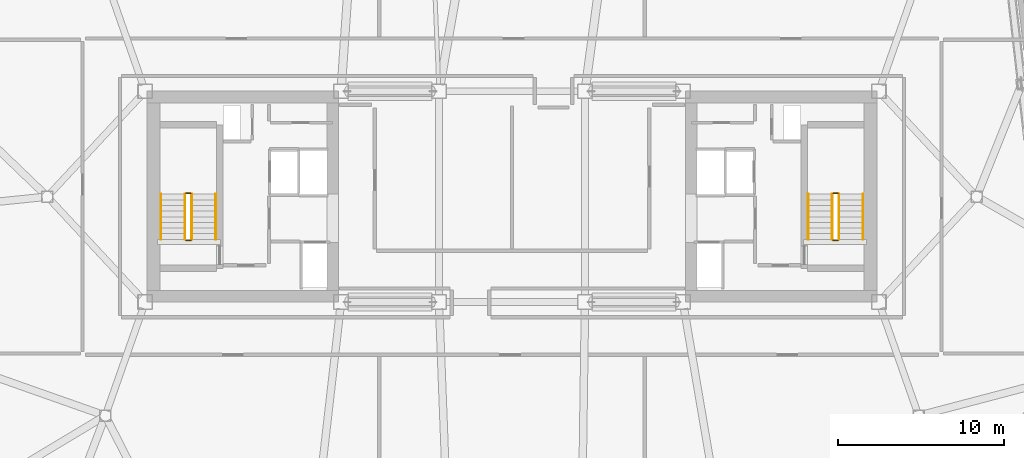
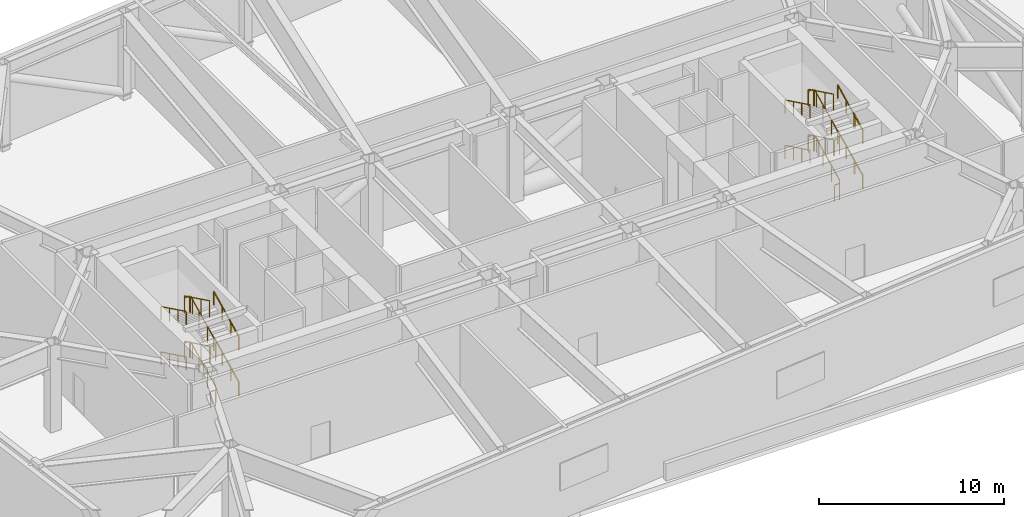
# One storey, part 13 of 13: 24 railings.
"""IFC4 building model written with IfcOpenShell, lengths in metres."""

from ifc_helpers import new_model, si_unit, direction, frame, origin, origin_2d, place, context, subcontext, project, spatial, rectangle, extrude, material, layer, layer_set, type_object, element, save


model = new_model("IFC4")

# Units and contexts
model_context = context("Model", 3, precision=1e-05, world=origin(), true_north=direction((0.0, 1.0)))
body_context = subcontext(model_context, "Body", "Model", "MODEL_VIEW")
ifc_project = project(units=[si_unit("LENGTHUNIT", "METRE"), si_unit("AREAUNIT", "SQUARE_METRE"), si_unit("VOLUMEUNIT", "CUBIC_METRE"), si_unit("PLANEANGLEUNIT", "RADIAN"), si_unit("MASSUNIT", "GRAM", prefix="KILO")], contexts=[model_context])

# Site, building, storey
site_placement = place(None, origin())
site = spatial("IfcSite", under=ifc_project, at=site_placement, CompositionType="ELEMENT")
building_placement = place(site_placement, origin())
building = spatial("IfcBuilding", under=site, at=building_placement, Name="Tavrogorsk Clinical Tower", CompositionType="ELEMENT")
storey_placement = place(building_placement, frame((0.0, 0.0, 208.199951171875)))
storey = spatial("IfcBuildingStorey", under=building, at=storey_placement, Name="L48", CompositionType="ELEMENT", Elevation=208.199951171875)

# Railings
ifc_material_1 = material(Name="Galvanised steel S355 safety stairwell guard", Category="steel")
ifc_layer_1 = layer(ifc_material_1, 0.06005859375)
ifc_layer_set_1 = layer_set([ifc_layer_1], Name="Galvanised steel S355 safety stairwell guard")
railing_type_1 = type_object("IfcRailingType", Name="StairGuard_1150", PredefinedType="GUARDRAIL", material=ifc_layer_set_1)
railing_1_placement = place(storey_placement, frame((-19.300048828125, -2.574951171875, 0.166748046875)))
element("IfcRailing", 1, at=railing_1_placement, inside=storey, type_object=railing_type_1, Name="L48 ST-W stair guard 1", PredefinedType="GUARDRAIL", context=body_context, shape_type="SweptSolid", body=[
    extrude(rectangle(XDim=0.048095703125, YDim=0.048095703125, at=origin_2d()), frame((0.0, 0.0, 1.076171875), z_axis=(0.0, 0.897929466783, 0.4401393787), x_axis=(-1.0, 0.0, 0.0)), (0.0, 0.0, 1.0), 3.029052734375),
    extrude(rectangle(XDim=0.0419921875, YDim=0.0419921875, at=origin_2d()), origin(), (0.0, 0.0, 1.0), 1.052001953125),
    extrude(rectangle(XDim=0.0419921875, YDim=0.0419921875, at=origin_2d()), frame((0.0, 0.90673828125, 0.4443359375)), (0.0, 0.0, 1.0), 1.052001953125),
    extrude(rectangle(XDim=0.0419921875, YDim=0.0419921875, at=origin_2d()), frame((0.0, 1.813232421875, 0.888916015625)), (0.0, 0.0, 1.0), 1.052001953125),
    extrude(rectangle(XDim=0.0419921875, YDim=0.0419921875, at=origin_2d()), frame((0.0, 2.719970703125, 1.333251953125)), (0.0, 0.0, 1.0), 1.052001953125),
])
railing_2_placement = place(storey_placement, frame((-19.35009765625, 0.195068359375, 1.5)))
element("IfcRailing", 2, at=railing_2_placement, inside=storey, type_object=railing_type_1, Name="L48 ST-W stair guard 2", PredefinedType="GUARDRAIL", context=body_context, shape_type="SweptSolid", body=[
    extrude(rectangle(XDim=0.048095703125, YDim=0.048095703125, at=origin_2d()), frame((0.0, 0.0, 1.076171875), z_axis=(-1.0, 0.0, 0.0), x_axis=(0.0, -1.0, 0.0)), (0.0, 0.0, 1.0), 0.2998046875),
    extrude(rectangle(XDim=0.0419921875, YDim=0.0419921875, at=origin_2d()), origin(), (0.0, 0.0, 1.0), 1.052001953125),
    extrude(rectangle(XDim=0.0419921875, YDim=0.0419921875, at=origin_2d()), frame((-0.2998046875, 0.0, 0.0)), (0.0, 0.0, 1.0), 1.052001953125),
])
railing_3_placement = place(storey_placement, frame((-19.699951171875, 0.14501953125, 1.666748046875)))
element("IfcRailing", 3, at=railing_3_placement, inside=storey, type_object=railing_type_1, Name="L48 ST-W stair guard 3", PredefinedType="GUARDRAIL", context=body_context, shape_type="SweptSolid", body=[
    extrude(rectangle(XDim=0.048095703125, YDim=0.048095703125, at=origin_2d()), frame((0.0, 0.0, 1.076171875), z_axis=(0.0, -0.897929466783, 0.4401393787), x_axis=(1.0, 0.0, 0.0)), (0.0, 0.0, 1.0), 3.029052734375),
    extrude(rectangle(XDim=0.0419921875, YDim=0.0419921875, at=origin_2d()), origin(), (0.0, 0.0, 1.0), 1.052001953125),
    extrude(rectangle(XDim=0.0419921875, YDim=0.0419921875, at=origin_2d()), frame((0.0, -0.90673828125, 0.4443359375)), (0.0, 0.0, 1.0), 1.052001953125),
    extrude(rectangle(XDim=0.0419921875, YDim=0.0419921875, at=origin_2d()), frame((0.0, -1.813232421875, 0.888916015625)), (0.0, 0.0, 1.0), 1.052001953125),
    extrude(rectangle(XDim=0.0419921875, YDim=0.0419921875, at=origin_2d()), frame((0.0, -2.719970703125, 1.333251953125)), (0.0, 0.0, 1.0), 1.052001953125),
])
railing_4_placement = place(storey_placement, frame((-19.35009765625, -2.625, 3.0)))
element("IfcRailing", 4, at=railing_4_placement, inside=storey, type_object=railing_type_1, Name="L48 ST-W stair guard 4", PredefinedType="GUARDRAIL", context=body_context, shape_type="SweptSolid", body=[
    extrude(rectangle(XDim=0.048095703125, YDim=0.048095703125, at=origin_2d()), frame((0.0, 0.0, 1.076171875), z_axis=(-1.0, 0.0, 0.0), x_axis=(0.0, -1.0, 0.0)), (0.0, 0.0, 1.0), 0.2998046875),
    extrude(rectangle(XDim=0.0419921875, YDim=0.0419921875, at=origin_2d()), origin(), (0.0, 0.0, 1.0), 1.052001953125),
    extrude(rectangle(XDim=0.0419921875, YDim=0.0419921875, at=origin_2d()), frame((-0.2998046875, 0.0, 0.0)), (0.0, 0.0, 1.0), 1.052001953125),
])
railing_5_placement = place(storey_placement, frame((-19.300048828125, -2.574951171875, 3.166748046875)))
element("IfcRailing", 5, at=railing_5_placement, inside=storey, type_object=railing_type_1, Name="L48 ST-W stair guard 5", PredefinedType="GUARDRAIL", context=body_context, shape_type="SweptSolid", body=[
    extrude(rectangle(XDim=0.048095703125, YDim=0.048095703125, at=origin_2d()), frame((0.0, 0.0, 1.076171875), z_axis=(0.0, 0.897929466783, 0.4401393787), x_axis=(-1.0, 0.0, 0.0)), (0.0, 0.0, 1.0), 3.029052734375),
    extrude(rectangle(XDim=0.0419921875, YDim=0.0419921875, at=origin_2d()), origin(), (0.0, 0.0, 1.0), 1.052001953125),
    extrude(rectangle(XDim=0.0419921875, YDim=0.0419921875, at=origin_2d()), frame((0.0, 0.90673828125, 0.4443359375)), (0.0, 0.0, 1.0), 1.052001953125),
    extrude(rectangle(XDim=0.0419921875, YDim=0.0419921875, at=origin_2d()), frame((0.0, 1.813232421875, 0.888916015625)), (0.0, 0.0, 1.0), 1.052001953125),
    extrude(rectangle(XDim=0.0419921875, YDim=0.0419921875, at=origin_2d()), frame((0.0, 2.719970703125, 1.333251953125)), (0.0, 0.0, 1.0), 1.052001953125),
])
railing_6_placement = place(storey_placement, frame((-19.35009765625, 0.195068359375, 4.5)))
element("IfcRailing", 6, at=railing_6_placement, inside=storey, type_object=railing_type_1, Name="L48 ST-W stair guard 6", PredefinedType="GUARDRAIL", context=body_context, shape_type="SweptSolid", body=[
    extrude(rectangle(XDim=0.048095703125, YDim=0.048095703125, at=origin_2d()), frame((0.0, 0.0, 1.076171875), z_axis=(-1.0, 0.0, 0.0), x_axis=(0.0, -1.0, 0.0)), (0.0, 0.0, 1.0), 0.2998046875),
    extrude(rectangle(XDim=0.0419921875, YDim=0.0419921875, at=origin_2d()), origin(), (0.0, 0.0, 1.0), 1.052001953125),
    extrude(rectangle(XDim=0.0419921875, YDim=0.0419921875, at=origin_2d()), frame((-0.2998046875, 0.0, 0.0)), (0.0, 0.0, 1.0), 1.052001953125),
])
railing_7_placement = place(storey_placement, frame((-19.699951171875, 0.14501953125, 4.666748046875)))
element("IfcRailing", 7, at=railing_7_placement, inside=storey, type_object=railing_type_1, Name="L48 ST-W stair guard 7", PredefinedType="GUARDRAIL", context=body_context, shape_type="SweptSolid", body=[
    extrude(rectangle(XDim=0.048095703125, YDim=0.048095703125, at=origin_2d()), frame((0.0, 0.0, 1.076171875), z_axis=(0.0, -0.897929466783, 0.4401393787), x_axis=(1.0, 0.0, 0.0)), (0.0, 0.0, 1.0), 3.029052734375),
    extrude(rectangle(XDim=0.0419921875, YDim=0.0419921875, at=origin_2d()), origin(), (0.0, 0.0, 1.0), 1.052001953125),
    extrude(rectangle(XDim=0.0419921875, YDim=0.0419921875, at=origin_2d()), frame((0.0, -0.90673828125, 0.4443359375)), (0.0, 0.0, 1.0), 1.052001953125),
    extrude(rectangle(XDim=0.0419921875, YDim=0.0419921875, at=origin_2d()), frame((0.0, -1.813232421875, 0.888916015625)), (0.0, 0.0, 1.0), 1.052001953125),
    extrude(rectangle(XDim=0.0419921875, YDim=0.0419921875, at=origin_2d()), frame((0.0, -2.719970703125, 1.333251953125)), (0.0, 0.0, 1.0), 1.052001953125),
])
railing_8_placement = place(storey_placement, frame((-19.35009765625, -2.625, 0.0)))
element("IfcRailing", 8, at=railing_8_placement, inside=storey, type_object=railing_type_1, Name="L48 ST-W stair guard 8", PredefinedType="GUARDRAIL", context=body_context, shape_type="SweptSolid", body=[
    extrude(rectangle(XDim=0.048095703125, YDim=0.048095703125, at=origin_2d()), frame((0.0, 0.0, 1.076171875), z_axis=(-1.0, 0.0, 0.0), x_axis=(0.0, -1.0, 0.0)), (0.0, 0.0, 1.0), 0.2998046875),
    extrude(rectangle(XDim=0.0419921875, YDim=0.0419921875, at=origin_2d()), origin(), (0.0, 0.0, 1.0), 1.052001953125),
    extrude(rectangle(XDim=0.0419921875, YDim=0.0419921875, at=origin_2d()), frame((-0.2998046875, 0.0, 0.0)), (0.0, 0.0, 1.0), 1.052001953125),
])
railing_9_placement = place(storey_placement, frame((19.699951171875, -2.574951171875, 0.166748046875)))
element("IfcRailing", 9, at=railing_9_placement, inside=storey, type_object=railing_type_1, Name="L48 ST-E stair guard 1", PredefinedType="GUARDRAIL", context=body_context, shape_type="SweptSolid", body=[
    extrude(rectangle(XDim=0.048095703125, YDim=0.048095703125, at=origin_2d()), frame((0.0, 0.0, 1.076171875), z_axis=(0.0, 0.897929466783, 0.4401393787), x_axis=(-1.0, 0.0, 0.0)), (0.0, 0.0, 1.0), 3.029052734375),
    extrude(rectangle(XDim=0.0419921875, YDim=0.0419921875, at=origin_2d()), origin(), (0.0, 0.0, 1.0), 1.052001953125),
    extrude(rectangle(XDim=0.0419921875, YDim=0.0419921875, at=origin_2d()), frame((0.0, 0.90673828125, 0.4443359375)), (0.0, 0.0, 1.0), 1.052001953125),
    extrude(rectangle(XDim=0.0419921875, YDim=0.0419921875, at=origin_2d()), frame((0.0, 1.813232421875, 0.888916015625)), (0.0, 0.0, 1.0), 1.052001953125),
    extrude(rectangle(XDim=0.0419921875, YDim=0.0419921875, at=origin_2d()), frame((0.0, 2.719970703125, 1.333251953125)), (0.0, 0.0, 1.0), 1.052001953125),
])
railing_10_placement = place(storey_placement, frame((19.64990234375, 0.195068359375, 1.5)))
element("IfcRailing", 10, at=railing_10_placement, inside=storey, type_object=railing_type_1, Name="L48 ST-E stair guard 2", PredefinedType="GUARDRAIL", context=body_context, shape_type="SweptSolid", body=[
    extrude(rectangle(XDim=0.048095703125, YDim=0.048095703125, at=origin_2d()), frame((0.0, 0.0, 1.076171875), z_axis=(-1.0, 0.0, 0.0), x_axis=(0.0, -1.0, 0.0)), (0.0, 0.0, 1.0), 0.2998046875),
    extrude(rectangle(XDim=0.0419921875, YDim=0.0419921875, at=origin_2d()), origin(), (0.0, 0.0, 1.0), 1.052001953125),
    extrude(rectangle(XDim=0.0419921875, YDim=0.0419921875, at=origin_2d()), frame((-0.2998046875, 0.0, 0.0)), (0.0, 0.0, 1.0), 1.052001953125),
])
railing_11_placement = place(storey_placement, frame((19.300048828125, 0.14501953125, 1.666748046875)))
element("IfcRailing", 11, at=railing_11_placement, inside=storey, type_object=railing_type_1, Name="L48 ST-E stair guard 3", PredefinedType="GUARDRAIL", context=body_context, shape_type="SweptSolid", body=[
    extrude(rectangle(XDim=0.048095703125, YDim=0.048095703125, at=origin_2d()), frame((0.0, 0.0, 1.076171875), z_axis=(0.0, -0.897929466783, 0.4401393787), x_axis=(1.0, 0.0, 0.0)), (0.0, 0.0, 1.0), 3.029052734375),
    extrude(rectangle(XDim=0.0419921875, YDim=0.0419921875, at=origin_2d()), origin(), (0.0, 0.0, 1.0), 1.052001953125),
    extrude(rectangle(XDim=0.0419921875, YDim=0.0419921875, at=origin_2d()), frame((0.0, -0.90673828125, 0.4443359375)), (0.0, 0.0, 1.0), 1.052001953125),
    extrude(rectangle(XDim=0.0419921875, YDim=0.0419921875, at=origin_2d()), frame((0.0, -1.813232421875, 0.888916015625)), (0.0, 0.0, 1.0), 1.052001953125),
    extrude(rectangle(XDim=0.0419921875, YDim=0.0419921875, at=origin_2d()), frame((0.0, -2.719970703125, 1.333251953125)), (0.0, 0.0, 1.0), 1.052001953125),
])
railing_12_placement = place(storey_placement, frame((19.64990234375, -2.625, 3.0)))
element("IfcRailing", 12, at=railing_12_placement, inside=storey, type_object=railing_type_1, Name="L48 ST-E stair guard 4", PredefinedType="GUARDRAIL", context=body_context, shape_type="SweptSolid", body=[
    extrude(rectangle(XDim=0.048095703125, YDim=0.048095703125, at=origin_2d()), frame((0.0, 0.0, 1.076171875), z_axis=(-1.0, 0.0, 0.0), x_axis=(0.0, -1.0, 0.0)), (0.0, 0.0, 1.0), 0.2998046875),
    extrude(rectangle(XDim=0.0419921875, YDim=0.0419921875, at=origin_2d()), origin(), (0.0, 0.0, 1.0), 1.052001953125),
    extrude(rectangle(XDim=0.0419921875, YDim=0.0419921875, at=origin_2d()), frame((-0.2998046875, 0.0, 0.0)), (0.0, 0.0, 1.0), 1.052001953125),
])
railing_13_placement = place(storey_placement, frame((19.699951171875, -2.574951171875, 3.166748046875)))
element("IfcRailing", 13, at=railing_13_placement, inside=storey, type_object=railing_type_1, Name="L48 ST-E stair guard 5", PredefinedType="GUARDRAIL", context=body_context, shape_type="SweptSolid", body=[
    extrude(rectangle(XDim=0.048095703125, YDim=0.048095703125, at=origin_2d()), frame((0.0, 0.0, 1.076171875), z_axis=(0.0, 0.897929466783, 0.4401393787), x_axis=(-1.0, 0.0, 0.0)), (0.0, 0.0, 1.0), 3.029052734375),
    extrude(rectangle(XDim=0.0419921875, YDim=0.0419921875, at=origin_2d()), origin(), (0.0, 0.0, 1.0), 1.052001953125),
    extrude(rectangle(XDim=0.0419921875, YDim=0.0419921875, at=origin_2d()), frame((0.0, 0.90673828125, 0.4443359375)), (0.0, 0.0, 1.0), 1.052001953125),
    extrude(rectangle(XDim=0.0419921875, YDim=0.0419921875, at=origin_2d()), frame((0.0, 1.813232421875, 0.888916015625)), (0.0, 0.0, 1.0), 1.052001953125),
    extrude(rectangle(XDim=0.0419921875, YDim=0.0419921875, at=origin_2d()), frame((0.0, 2.719970703125, 1.333251953125)), (0.0, 0.0, 1.0), 1.052001953125),
])
railing_14_placement = place(storey_placement, frame((19.64990234375, 0.195068359375, 4.5)))
element("IfcRailing", 14, at=railing_14_placement, inside=storey, type_object=railing_type_1, Name="L48 ST-E stair guard 6", PredefinedType="GUARDRAIL", context=body_context, shape_type="SweptSolid", body=[
    extrude(rectangle(XDim=0.048095703125, YDim=0.048095703125, at=origin_2d()), frame((0.0, 0.0, 1.076171875), z_axis=(-1.0, 0.0, 0.0), x_axis=(0.0, -1.0, 0.0)), (0.0, 0.0, 1.0), 0.2998046875),
    extrude(rectangle(XDim=0.0419921875, YDim=0.0419921875, at=origin_2d()), origin(), (0.0, 0.0, 1.0), 1.052001953125),
    extrude(rectangle(XDim=0.0419921875, YDim=0.0419921875, at=origin_2d()), frame((-0.2998046875, 0.0, 0.0)), (0.0, 0.0, 1.0), 1.052001953125),
])
railing_15_placement = place(storey_placement, frame((19.300048828125, 0.14501953125, 4.666748046875)))
element("IfcRailing", 15, at=railing_15_placement, inside=storey, type_object=railing_type_1, Name="L48 ST-E stair guard 7", PredefinedType="GUARDRAIL", context=body_context, shape_type="SweptSolid", body=[
    extrude(rectangle(XDim=0.048095703125, YDim=0.048095703125, at=origin_2d()), frame((0.0, 0.0, 1.076171875), z_axis=(0.0, -0.897929466783, 0.4401393787), x_axis=(1.0, 0.0, 0.0)), (0.0, 0.0, 1.0), 3.029052734375),
    extrude(rectangle(XDim=0.0419921875, YDim=0.0419921875, at=origin_2d()), origin(), (0.0, 0.0, 1.0), 1.052001953125),
    extrude(rectangle(XDim=0.0419921875, YDim=0.0419921875, at=origin_2d()), frame((0.0, -0.90673828125, 0.4443359375)), (0.0, 0.0, 1.0), 1.052001953125),
    extrude(rectangle(XDim=0.0419921875, YDim=0.0419921875, at=origin_2d()), frame((0.0, -1.813232421875, 0.888916015625)), (0.0, 0.0, 1.0), 1.052001953125),
    extrude(rectangle(XDim=0.0419921875, YDim=0.0419921875, at=origin_2d()), frame((0.0, -2.719970703125, 1.333251953125)), (0.0, 0.0, 1.0), 1.052001953125),
])
railing_16_placement = place(storey_placement, frame((19.64990234375, -2.625, 0.0)))
element("IfcRailing", 16, at=railing_16_placement, inside=storey, type_object=railing_type_1, Name="L48 ST-E stair guard 8", PredefinedType="GUARDRAIL", context=body_context, shape_type="SweptSolid", body=[
    extrude(rectangle(XDim=0.048095703125, YDim=0.048095703125, at=origin_2d()), frame((0.0, 0.0, 1.076171875), z_axis=(-1.0, 0.0, 0.0), x_axis=(0.0, -1.0, 0.0)), (0.0, 0.0, 1.0), 0.2998046875),
    extrude(rectangle(XDim=0.0419921875, YDim=0.0419921875, at=origin_2d()), origin(), (0.0, 0.0, 1.0), 1.052001953125),
    extrude(rectangle(XDim=0.0419921875, YDim=0.0419921875, at=origin_2d()), frame((-0.2998046875, 0.0, 0.0)), (0.0, 0.0, 1.0), 1.052001953125),
])
ifc_material_2 = material(Name="Stainless steel AISI 304 tubular handrail", Category="steel")
ifc_layer_2 = layer(ifc_material_2, 0.050048828125)
ifc_layer_set_2 = layer_set([ifc_layer_2], Name="Stainless steel AISI 304 tubular handrail")
railing_type_2 = type_object("IfcRailingType", Name="StairHandrail_920", PredefinedType="HANDRAIL", material=ifc_layer_set_2)
railing_17_placement = place(storey_placement, frame((-17.85009765625, -2.574951171875, 0.166748046875)))
element("IfcRailing", 17, at=railing_17_placement, inside=storey, type_object=railing_type_2, Name="L48 ST-W stair handrail 1", PredefinedType="HANDRAIL", context=body_context, shape_type="SweptSolid", body=[
    extrude(rectangle(XDim=0.048095703125, YDim=0.048095703125, at=origin_2d()), frame((0.0, 0.0, 0.8759765625), z_axis=(0.0, 0.897929466783, 0.4401393787), x_axis=(-1.0, 0.0, 0.0)), (0.0, 0.0, 1.0), 3.029052734375),
    extrude(rectangle(XDim=0.0419921875, YDim=0.0419921875, at=origin_2d()), origin(), (0.0, 0.0, 1.0), 0.851806640625),
    extrude(rectangle(XDim=0.0419921875, YDim=0.0419921875, at=origin_2d()), frame((0.0, 0.90673828125, 0.4443359375)), (0.0, 0.0, 1.0), 0.851806640625),
    extrude(rectangle(XDim=0.0419921875, YDim=0.0419921875, at=origin_2d()), frame((0.0, 1.813232421875, 0.888916015625)), (0.0, 0.0, 1.0), 0.851806640625),
    extrude(rectangle(XDim=0.0419921875, YDim=0.0419921875, at=origin_2d()), frame((0.0, 2.719970703125, 1.333251953125)), (0.0, 0.0, 1.0), 0.851806640625),
])
railing_18_placement = place(storey_placement, frame((-21.14990234375, 0.14501953125, 1.666748046875)))
element("IfcRailing", 18, at=railing_18_placement, inside=storey, type_object=railing_type_2, Name="L48 ST-W stair handrail 2", PredefinedType="HANDRAIL", context=body_context, shape_type="SweptSolid", body=[
    extrude(rectangle(XDim=0.048095703125, YDim=0.048095703125, at=origin_2d()), frame((0.0, 0.0, 0.8759765625), z_axis=(0.0, -0.897929466783, 0.4401393787), x_axis=(1.0, 0.0, 0.0)), (0.0, 0.0, 1.0), 3.029052734375),
    extrude(rectangle(XDim=0.0419921875, YDim=0.0419921875, at=origin_2d()), origin(), (0.0, 0.0, 1.0), 0.851806640625),
    extrude(rectangle(XDim=0.0419921875, YDim=0.0419921875, at=origin_2d()), frame((0.0, -0.90673828125, 0.4443359375)), (0.0, 0.0, 1.0), 0.851806640625),
    extrude(rectangle(XDim=0.0419921875, YDim=0.0419921875, at=origin_2d()), frame((0.0, -1.813232421875, 0.888916015625)), (0.0, 0.0, 1.0), 0.851806640625),
    extrude(rectangle(XDim=0.0419921875, YDim=0.0419921875, at=origin_2d()), frame((0.0, -2.719970703125, 1.333251953125)), (0.0, 0.0, 1.0), 0.851806640625),
])
railing_19_placement = place(storey_placement, frame((-17.85009765625, -2.574951171875, 3.166748046875)))
element("IfcRailing", 19, at=railing_19_placement, inside=storey, type_object=railing_type_2, Name="L48 ST-W stair handrail 3", PredefinedType="HANDRAIL", context=body_context, shape_type="SweptSolid", body=[
    extrude(rectangle(XDim=0.048095703125, YDim=0.048095703125, at=origin_2d()), frame((0.0, 0.0, 0.8759765625), z_axis=(0.0, 0.897929466783, 0.4401393787), x_axis=(-1.0, 0.0, 0.0)), (0.0, 0.0, 1.0), 3.029052734375),
    extrude(rectangle(XDim=0.0419921875, YDim=0.0419921875, at=origin_2d()), origin(), (0.0, 0.0, 1.0), 0.851806640625),
    extrude(rectangle(XDim=0.0419921875, YDim=0.0419921875, at=origin_2d()), frame((0.0, 0.90673828125, 0.4443359375)), (0.0, 0.0, 1.0), 0.851806640625),
    extrude(rectangle(XDim=0.0419921875, YDim=0.0419921875, at=origin_2d()), frame((0.0, 1.813232421875, 0.888916015625)), (0.0, 0.0, 1.0), 0.851806640625),
    extrude(rectangle(XDim=0.0419921875, YDim=0.0419921875, at=origin_2d()), frame((0.0, 2.719970703125, 1.333251953125)), (0.0, 0.0, 1.0), 0.851806640625),
])
railing_20_placement = place(storey_placement, frame((-21.14990234375, 0.14501953125, 4.666748046875)))
element("IfcRailing", 20, at=railing_20_placement, inside=storey, type_object=railing_type_2, Name="L48 ST-W stair handrail 4", PredefinedType="HANDRAIL", context=body_context, shape_type="SweptSolid", body=[
    extrude(rectangle(XDim=0.048095703125, YDim=0.048095703125, at=origin_2d()), frame((0.0, 0.0, 0.8759765625), z_axis=(0.0, -0.897929466783, 0.4401393787), x_axis=(1.0, 0.0, 0.0)), (0.0, 0.0, 1.0), 3.029052734375),
    extrude(rectangle(XDim=0.0419921875, YDim=0.0419921875, at=origin_2d()), origin(), (0.0, 0.0, 1.0), 0.851806640625),
    extrude(rectangle(XDim=0.0419921875, YDim=0.0419921875, at=origin_2d()), frame((0.0, -0.90673828125, 0.4443359375)), (0.0, 0.0, 1.0), 0.851806640625),
    extrude(rectangle(XDim=0.0419921875, YDim=0.0419921875, at=origin_2d()), frame((0.0, -1.813232421875, 0.888916015625)), (0.0, 0.0, 1.0), 0.851806640625),
    extrude(rectangle(XDim=0.0419921875, YDim=0.0419921875, at=origin_2d()), frame((0.0, -2.719970703125, 1.333251953125)), (0.0, 0.0, 1.0), 0.851806640625),
])
railing_21_placement = place(storey_placement, frame((21.14990234375, -2.574951171875, 0.166748046875)))
element("IfcRailing", 21, at=railing_21_placement, inside=storey, type_object=railing_type_2, Name="L48 ST-E stair handrail 1", PredefinedType="HANDRAIL", context=body_context, shape_type="SweptSolid", body=[
    extrude(rectangle(XDim=0.048095703125, YDim=0.048095703125, at=origin_2d()), frame((0.0, 0.0, 0.8759765625), z_axis=(0.0, 0.897929466783, 0.4401393787), x_axis=(-1.0, 0.0, 0.0)), (0.0, 0.0, 1.0), 3.029052734375),
    extrude(rectangle(XDim=0.0419921875, YDim=0.0419921875, at=origin_2d()), origin(), (0.0, 0.0, 1.0), 0.851806640625),
    extrude(rectangle(XDim=0.0419921875, YDim=0.0419921875, at=origin_2d()), frame((0.0, 0.90673828125, 0.4443359375)), (0.0, 0.0, 1.0), 0.851806640625),
    extrude(rectangle(XDim=0.0419921875, YDim=0.0419921875, at=origin_2d()), frame((0.0, 1.813232421875, 0.888916015625)), (0.0, 0.0, 1.0), 0.851806640625),
    extrude(rectangle(XDim=0.0419921875, YDim=0.0419921875, at=origin_2d()), frame((0.0, 2.719970703125, 1.333251953125)), (0.0, 0.0, 1.0), 0.851806640625),
])
railing_22_placement = place(storey_placement, frame((17.85009765625, 0.14501953125, 1.666748046875)))
element("IfcRailing", 22, at=railing_22_placement, inside=storey, type_object=railing_type_2, Name="L48 ST-E stair handrail 2", PredefinedType="HANDRAIL", context=body_context, shape_type="SweptSolid", body=[
    extrude(rectangle(XDim=0.048095703125, YDim=0.048095703125, at=origin_2d()), frame((0.0, 0.0, 0.8759765625), z_axis=(0.0, -0.897929466783, 0.4401393787), x_axis=(1.0, 0.0, 0.0)), (0.0, 0.0, 1.0), 3.029052734375),
    extrude(rectangle(XDim=0.0419921875, YDim=0.0419921875, at=origin_2d()), origin(), (0.0, 0.0, 1.0), 0.851806640625),
    extrude(rectangle(XDim=0.0419921875, YDim=0.0419921875, at=origin_2d()), frame((0.0, -0.90673828125, 0.4443359375)), (0.0, 0.0, 1.0), 0.851806640625),
    extrude(rectangle(XDim=0.0419921875, YDim=0.0419921875, at=origin_2d()), frame((0.0, -1.813232421875, 0.888916015625)), (0.0, 0.0, 1.0), 0.851806640625),
    extrude(rectangle(XDim=0.0419921875, YDim=0.0419921875, at=origin_2d()), frame((0.0, -2.719970703125, 1.333251953125)), (0.0, 0.0, 1.0), 0.851806640625),
])
railing_23_placement = place(storey_placement, frame((21.14990234375, -2.574951171875, 3.166748046875)))
element("IfcRailing", 23, at=railing_23_placement, inside=storey, type_object=railing_type_2, Name="L48 ST-E stair handrail 3", PredefinedType="HANDRAIL", context=body_context, shape_type="SweptSolid", body=[
    extrude(rectangle(XDim=0.048095703125, YDim=0.048095703125, at=origin_2d()), frame((0.0, 0.0, 0.8759765625), z_axis=(0.0, 0.897929466783, 0.4401393787), x_axis=(-1.0, 0.0, 0.0)), (0.0, 0.0, 1.0), 3.029052734375),
    extrude(rectangle(XDim=0.0419921875, YDim=0.0419921875, at=origin_2d()), origin(), (0.0, 0.0, 1.0), 0.851806640625),
    extrude(rectangle(XDim=0.0419921875, YDim=0.0419921875, at=origin_2d()), frame((0.0, 0.90673828125, 0.4443359375)), (0.0, 0.0, 1.0), 0.851806640625),
    extrude(rectangle(XDim=0.0419921875, YDim=0.0419921875, at=origin_2d()), frame((0.0, 1.813232421875, 0.888916015625)), (0.0, 0.0, 1.0), 0.851806640625),
    extrude(rectangle(XDim=0.0419921875, YDim=0.0419921875, at=origin_2d()), frame((0.0, 2.719970703125, 1.333251953125)), (0.0, 0.0, 1.0), 0.851806640625),
])
railing_24_placement = place(storey_placement, frame((17.85009765625, 0.14501953125, 4.666748046875)))
element("IfcRailing", 24, at=railing_24_placement, inside=storey, type_object=railing_type_2, Name="L48 ST-E stair handrail 4", PredefinedType="HANDRAIL", context=body_context, shape_type="SweptSolid", body=[
    extrude(rectangle(XDim=0.048095703125, YDim=0.048095703125, at=origin_2d()), frame((0.0, 0.0, 0.8759765625), z_axis=(0.0, -0.897929466783, 0.4401393787), x_axis=(1.0, 0.0, 0.0)), (0.0, 0.0, 1.0), 3.029052734375),
    extrude(rectangle(XDim=0.0419921875, YDim=0.0419921875, at=origin_2d()), origin(), (0.0, 0.0, 1.0), 0.851806640625),
    extrude(rectangle(XDim=0.0419921875, YDim=0.0419921875, at=origin_2d()), frame((0.0, -0.90673828125, 0.4443359375)), (0.0, 0.0, 1.0), 0.851806640625),
    extrude(rectangle(XDim=0.0419921875, YDim=0.0419921875, at=origin_2d()), frame((0.0, -1.813232421875, 0.888916015625)), (0.0, 0.0, 1.0), 0.851806640625),
    extrude(rectangle(XDim=0.0419921875, YDim=0.0419921875, at=origin_2d()), frame((0.0, -2.719970703125, 1.333251953125)), (0.0, 0.0, 1.0), 0.851806640625),
])

save(model, "model.ifc")
